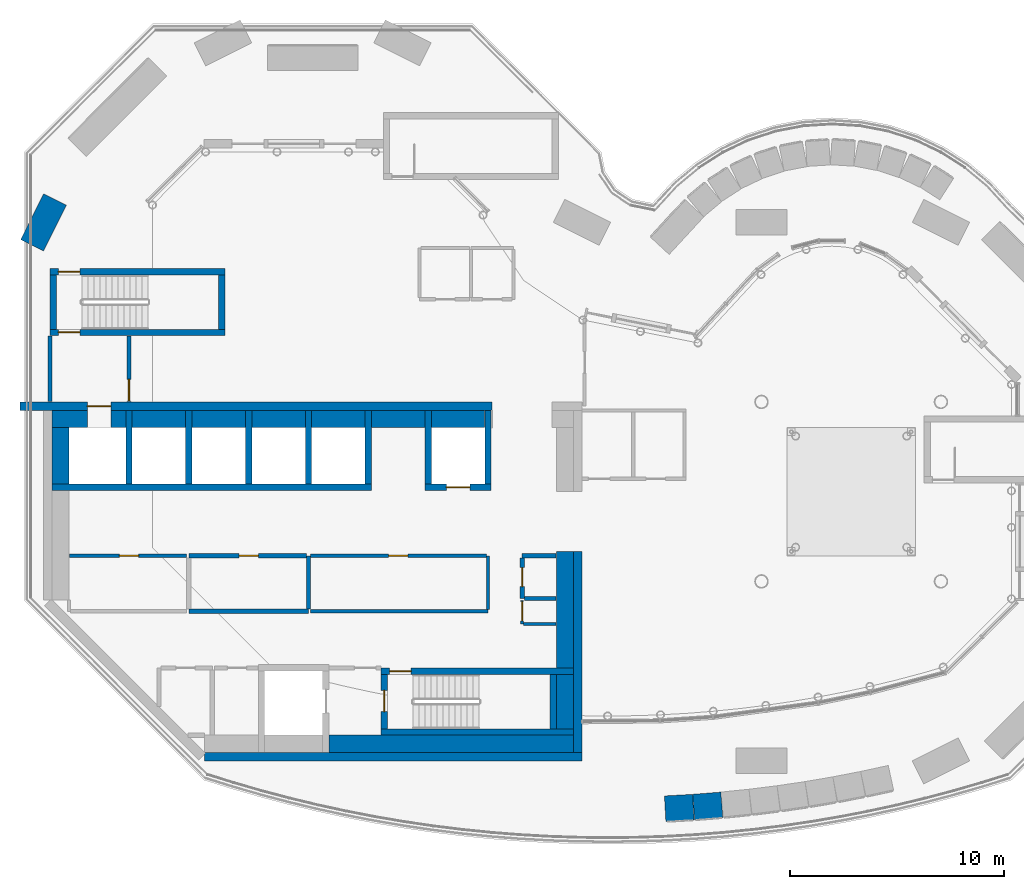
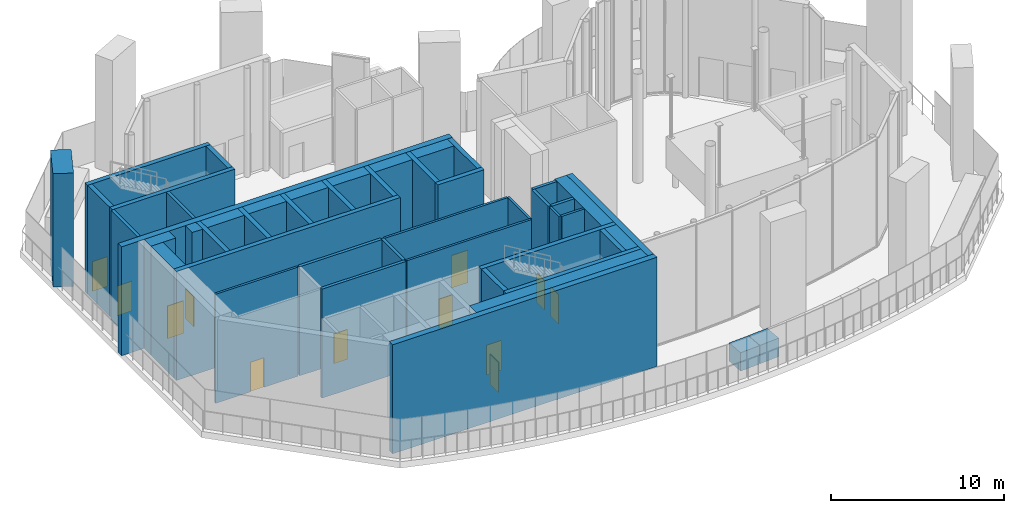
# One storey, part 8 of 14: 49 walls, 12 doors, 12 openings.
"""IFC4 building model written with IfcOpenShell, lengths in metres."""

from ifc_helpers import new_model, si_unit, direction, frame, frame_2d, origin, place, context, subcontext, project, spatial, rectangle, extrude, material, layer, layer_set, type_object, element, fill, save


model = new_model("IFC4")

# Units and contexts
model_context = context("Model", 3, precision=1e-05, world=origin(), true_north=direction((0.0, 1.0)))
body_context = subcontext(model_context, "Body", "Model", "MODEL_VIEW")
ifc_project = project(units=[si_unit("LENGTHUNIT", "METRE"), si_unit("AREAUNIT", "SQUARE_METRE"), si_unit("VOLUMEUNIT", "CUBIC_METRE"), si_unit("PLANEANGLEUNIT", "RADIAN"), si_unit("MASSUNIT", "GRAM", prefix="KILO")], contexts=[model_context])

# Site, building, storey
site_placement = place(None, origin())
site = spatial("IfcSite", under=ifc_project, at=site_placement, CompositionType="ELEMENT")
building_placement = place(site_placement, origin())
building = spatial("IfcBuilding", under=site, at=building_placement, Name="Brevane Broadcast Tower", CompositionType="ELEMENT")
storey_placement = place(building_placement, frame((0.0, 0.0, 256.199951171875)))
storey = spatial("IfcBuildingStorey", under=building, at=storey_placement, Name="L65", CompositionType="ELEMENT", Elevation=256.199951171875)

# Walls
ifc_material_1 = material(Name="Concrete C60/75", Category="concrete")
ifc_layer_1 = layer(ifc_material_1, 1.199951171875)
ifc_layer_set_1 = layer_set([ifc_layer_1], Name="CONCRETE CANOPY PIER WALL 1200 C60/75")
wall_type_1 = type_object("IfcWallType", Name="CONCRETE CANOPY PIER WALL 1200 C60/75", PredefinedType="SOLIDWALL", material=ifc_layer_set_1)
wall_1_placement = place(storey_placement, frame((0.53662109375, 26.273193359375, 0.0), z_axis=(0.0, 0.0, 1.0), x_axis=(-0.4472135955, -0.894427191, 0.0)))
element("IfcWall", 1, at=wall_1_placement, inside=storey, type_object=wall_type_1, Name="CP1 1", PredefinedType="SOLIDWALL", context=body_context, shape_type="SweptSolid", body=[
    extrude(rectangle(XDim=2.39990234375, YDim=1.199951171875, at=frame_2d((1.199951171875, 0.0))), origin(), (0.0, 0.0, 1.0), 8.0),
])
ifc_material_2 = material(Name="Concrete C32/40", Category="concrete")
ifc_layer_2 = layer(ifc_material_2, 0.800048828125)
ifc_layer_set_2 = layer_set([ifc_layer_2], Name="Core chase wall 800 mm")
wall_type_2 = type_object("IfcWallType", Name="Core chase wall 800 mm", PredefinedType="PARTITIONING", material=ifc_layer_set_2)
wall_2_placement = place(storey_placement, frame((0.39990234375, 16.0, 0.0), z_axis=(0.0, 0.0, 1.0), x_axis=(1.0, 0.0, 0.0)))
element("IfcWall", 2, at=wall_2_placement, inside=storey, type_object=wall_type_2, Name="L65 chase wall LN0", PredefinedType="PARTITIONING", context=body_context, shape_type="SweptSolid", body=[
    extrude(rectangle(XDim=1.650146484375, YDim=0.800048828125, at=frame_2d((0.8251953125, 0.0))), origin(), (0.0, 0.0, 1.0), 7.699951171875),
])
wall_3_placement = place(storey_placement, frame((0.800048828125, 12.949951171875, 0.0), z_axis=(0.0, 0.0, 1.0), x_axis=(0.0, 1.0, 0.0)))
element("IfcWall", 3, at=wall_3_placement, inside=storey, type_object=wall_type_2, Name="L65 chase wall LW-2", PredefinedType="PARTITIONING", context=body_context, shape_type="SweptSolid", body=[
    extrude(rectangle(XDim=2.650146484375, YDim=0.800048828125, at=frame_2d((1.3251953125, 0.0))), origin(), (0.0, 0.0, 1.0), 7.699951171875),
])
wall_4_placement = place(storey_placement, frame((3.14990234375, 16.0, 0.0), z_axis=(0.0, 0.0, 1.0), x_axis=(1.0, 0.0, 0.0)))
element("IfcWall", 4, at=wall_4_placement, inside=storey, type_object=wall_type_2, Name="L65 chase wall LN1-1", PredefinedType="PARTITIONING", context=body_context, shape_type="SweptSolid", body=[
    extrude(rectangle(XDim=0.7001953125, YDim=0.800048828125, at=frame_2d((0.35009765625, 0.0))), origin(), (0.0, 0.0, 1.0), 7.699951171875),
])
for number, where, z_axis, x_axis, name in (
    (5, (4.14990234375, 16.0, 0.0), (0.0, 0.0, 1.0), (1.0, 0.0, 0.0), "L65 chase wall LN1-2-1"),
    (6, (6.949951171875, 16.0, 0.0), (0.0, 0.0, 1.0), (1.0, 0.0, 0.0), "L65 chase wall LN1-2-2-1"),
    (7, (9.75, 16.0, 0.0), (0.0, 0.0, 1.0), (1.0, 0.0, 0.0), "L65 chase wall LN1-2-2-2-1"),
    (8, (12.550048828125, 16.0, 0.0), (0.0, 0.0, 1.0), (1.0, 0.0, 0.0), "L65 chase wall LN1-2-2-2-2-1"),
    (9, (15.35009765625, 16.0, 0.0), (0.0, 0.0, 1.0), (1.0, 0.0, 0.0), "L65 chase wall LN1-2-2-2-2-2-1"),
    (10, (18.14990234375, 16.0, 0.0), (0.0, 0.0, 1.0), (1.0, 0.0, 0.0), "L65 chase wall LN1-2-2-2-2-2-2-1"),
):
    element("IfcWall", number, at=place(storey_placement, frame(where, z_axis=z_axis, x_axis=x_axis)), inside=storey, type_object=wall_type_2, Name=name, PredefinedType="PARTITIONING", context=body_context, shape_type="SweptSolid", body=[
        extrude(rectangle(XDim=2.5, YDim=0.800048828125, at=frame_2d((1.25, 0.0))), origin(), (0.0, 0.0, 1.0), 7.699951171875),
    ])
wall_5_placement = place(storey_placement, frame((13.35009765625, 0.800048828125, 0.0), z_axis=(0.0, 0.0, 1.0), x_axis=(1.0, 0.0, 0.0)))
element("IfcWall", 11, at=wall_5_placement, inside=storey, type_object=wall_type_2, Name="L65 chase wall LS-2-2", PredefinedType="PARTITIONING", context=body_context, shape_type="SweptSolid", body=[
    extrude(rectangle(XDim=11.449951171875, YDim=0.800048828125, at=frame_2d((5.72509765625, 0.0))), origin(), (0.0, 0.0, 1.0), 7.699951171875),
])
wall_6_placement = place(storey_placement, frame((24.39990234375, 1.5, 0.0), z_axis=(0.0, 0.0, 1.0), x_axis=(0.0, 1.0, 0.0)))
element("IfcWall", 12, at=wall_6_placement, inside=storey, type_object=wall_type_2, Name="L65 chase wall LE1-2-1", PredefinedType="PARTITIONING", context=body_context, shape_type="SweptSolid", body=[
    extrude(rectangle(XDim=2.550048828125, YDim=0.800048828125, at=frame_2d((1.27490234375, 0.0))), origin(), (0.0, 0.0, 1.0), 7.699951171875),
])
wall_7_placement = place(storey_placement, frame((24.39990234375, 4.35009765625, 0.0), z_axis=(0.0, 0.0, 1.0), x_axis=(0.0, 1.0, 0.0)))
element("IfcWall", 13, at=wall_7_placement, inside=storey, type_object=wall_type_2, Name="L65 chase wall LE1-2-2", PredefinedType="PARTITIONING", context=body_context, shape_type="SweptSolid", body=[
    extrude(rectangle(XDim=5.449951171875, YDim=0.800048828125, at=frame_2d((2.72509765625, 0.0))), origin(), (0.0, 0.0, 1.0), 7.699951171875),
])

# Wall, opening, door
ifc_material_3 = material(Name="Gypsum board on steel studs", Category="steel")
ifc_layer_3 = layer(ifc_material_3, 0.14990234375)
ifc_layer_set_3 = layer_set([ifc_layer_3], Name="Core fire partition 150 mm")
wall_type_3 = type_object("IfcWallType", Name="Core fire partition 150 mm", PredefinedType="PARTITIONING", material=ifc_layer_set_3)
wall_8_placement = place(storey_placement, frame((6.699951171875, 9.60009765625, 0.0), z_axis=(0.0, 0.0, 1.0), x_axis=(-1.0, 0.0, 0.0)))
wall_8 = element("IfcWall", 14, at=wall_8_placement, inside=storey, type_object=wall_type_3, Name="L65 partition wall P16", PredefinedType="PARTITIONING", context=body_context, shape_type="SweptSolid", body=[
    extrude(rectangle(XDim=5.488037109375, YDim=0.14990234375, at=frame_2d((2.744140625, 0.0))), origin(), (0.0, 0.0, 1.0), 7.699951171875),
])
opening_1_placement = place(wall_8_placement, frame((2.25, 0.0, 0.0)))
opening_1 = element("IfcOpeningElement", 15, at=opening_1_placement, cuts=wall_8, Name="Opening L65-K15", PredefinedType="OPENING", context=body_context, shape_type="SweptSolid", body=[
    extrude(rectangle(XDim=0.89990234375, YDim=2.10009765625, at=frame_2d((0.449951171875, 1.050048828125))), frame((0.0, 0.0849609375, 0.0), z_axis=(0.0, -1.0, 0.0), x_axis=(1.0, 0.0, 0.0)), (0.0, 0.0, 1.0), 0.169921875),
])
ifc_material_4 = material(Name="Steel", Category="steel")
door_type_1 = type_object("IfcDoorType", Name="Service room door 900 x 2100", OperationType="SINGLE_SWING_LEFT", PredefinedType="DOOR", material=ifc_material_4)
door_1_placement = place(opening_1_placement, origin())
door_1 = element("IfcDoor", 16, at=door_1_placement, inside=storey, type_object=door_type_1, Name="Door L65-K15", OperationType="SINGLE_SWING_RIGHT", OverallHeight=2.10009765625, OverallWidth=0.89990234375, PredefinedType="DOOR", context=body_context, shape_type="SweptSolid", body=[
    extrude(rectangle(XDim=0.89990234375, YDim=2.10009765625, at=frame_2d((0.449951171875, 1.050048828125))), frame((0.0, 0.02490234375, 0.0), z_axis=(0.0, -1.0, 0.0), x_axis=(1.0, 0.0, 0.0)), (0.0, 0.0, 1.0), 0.050048828125),
])
fill(opening_1, door_1)

# Walls
wall_9_placement = place(storey_placement, frame((12.5, 7.0, 0.0), z_axis=(0.0, 0.0, 1.0), x_axis=(1.0, 0.0, 0.0)))
element("IfcWall", 17, at=wall_9_placement, inside=storey, type_object=wall_type_3, Name="L65 partition wall P19", PredefinedType="PARTITIONING", context=body_context, shape_type="SweptSolid", body=[
    extrude(rectangle(XDim=8.300048828125, YDim=0.14990234375, at=frame_2d((4.14990234375, 0.0))), origin(), (0.0, 0.0, 1.0), 7.699951171875),
])
wall_10_placement = place(storey_placement, frame((20.800048828125, 7.074951171875, 0.0), z_axis=(0.0, 0.0, 1.0), x_axis=(0.0, 1.0, 0.0)))
element("IfcWall", 18, at=wall_10_placement, inside=storey, type_object=wall_type_3, Name="L65 partition wall P20", PredefinedType="PARTITIONING", context=body_context, shape_type="SweptSolid", body=[
    extrude(rectangle(XDim=2.525146484375, YDim=0.14990234375, at=frame_2d((1.2626953125, 0.0))), origin(), (0.0, 0.0, 1.0), 7.699951171875),
])

# Wall, opening, door
wall_11_placement = place(storey_placement, frame((20.72509765625, 9.60009765625, 0.0), z_axis=(0.0, 0.0, 1.0), x_axis=(-1.0, 0.0, 0.0)))
wall_11 = element("IfcWall", 19, at=wall_11_placement, inside=storey, type_object=wall_type_3, Name="L65 partition wall P21", PredefinedType="PARTITIONING", context=body_context, shape_type="SweptSolid", body=[
    extrude(rectangle(XDim=8.22509765625, YDim=0.14990234375, at=frame_2d((4.112548828125, 0.0))), origin(), (0.0, 0.0, 1.0), 7.699951171875),
])
opening_2_placement = place(wall_11_placement, frame((3.675048828125, 0.0, 0.0)))
opening_2 = element("IfcOpeningElement", 20, at=opening_2_placement, cuts=wall_11, Name="Opening L65-K17", PredefinedType="OPENING", context=body_context, shape_type="SweptSolid", body=[
    extrude(rectangle(XDim=0.89990234375, YDim=2.10009765625, at=frame_2d((0.449951171875, 1.050048828125))), frame((0.0, 0.0849609375, 0.0), z_axis=(0.0, -1.0, 0.0), x_axis=(1.0, 0.0, 0.0)), (0.0, 0.0, 1.0), 0.169921875),
])
door_2_placement = place(opening_2_placement, origin())
door_2 = element("IfcDoor", 21, at=door_2_placement, inside=storey, type_object=door_type_1, Name="Door L65-K17", OperationType="SINGLE_SWING_RIGHT", OverallHeight=2.10009765625, OverallWidth=0.89990234375, PredefinedType="DOOR", context=body_context, shape_type="SweptSolid", body=[
    extrude(rectangle(XDim=0.89990234375, YDim=2.10009765625, at=frame_2d((0.449951171875, 1.050048828125))), frame((0.0, 0.02490234375, 0.0), z_axis=(0.0, -1.0, 0.0), x_axis=(1.0, 0.0, 0.0)), (0.0, 0.0, 1.0), 0.050048828125),
])
fill(opening_2, door_2)

wall_12_placement = place(storey_placement, frame((22.39990234375, 7.5, 0.0), z_axis=(0.0, 0.0, 1.0), x_axis=(0.0, -1.0, 0.0)))
wall_12 = element("IfcWall", 22, at=wall_12_placement, inside=storey, type_object=wall_type_3, Name="L65 partition wall P29", PredefinedType="PARTITIONING", context=body_context, shape_type="SweptSolid", body=[
    extrude(rectangle(XDim=1.10009765625, YDim=0.14990234375, at=frame_2d((0.550048828125, 0.0))), origin(), (0.0, 0.0, 1.0), 7.699951171875),
])
opening_3_placement = place(wall_12_placement, frame((0.050048828125, 0.0, 0.0)))
opening_3 = element("IfcOpeningElement", 23, at=opening_3_placement, cuts=wall_12, Name="Opening L65-K13", PredefinedType="OPENING", context=body_context, shape_type="SweptSolid", body=[
    extrude(rectangle(XDim=0.89990234375, YDim=2.10009765625, at=frame_2d((0.449951171875, 1.050048828125))), frame((0.0, 0.0849609375, 0.0), z_axis=(0.0, -1.0, 0.0), x_axis=(1.0, 0.0, 0.0)), (0.0, 0.0, 1.0), 0.169921875),
])
door_3_placement = place(opening_3_placement, origin())
door_3 = element("IfcDoor", 24, at=door_3_placement, inside=storey, type_object=door_type_1, Name="Door L65-K13", OperationType="SINGLE_SWING_RIGHT", OverallHeight=2.10009765625, OverallWidth=0.89990234375, PredefinedType="DOOR", context=body_context, shape_type="SweptSolid", body=[
    extrude(rectangle(XDim=0.89990234375, YDim=2.10009765625, at=frame_2d((0.449951171875, 1.050048828125))), frame((0.0, 0.02490234375, 0.0), z_axis=(0.0, -1.0, 0.0), x_axis=(1.0, 0.0, 0.0)), (0.0, 0.0, 1.0), 0.050048828125),
])
fill(opening_3, door_3)

# Walls
wall_13_placement = place(storey_placement, frame((22.47509765625, 6.39990234375, 0.0), z_axis=(0.0, 0.0, 1.0), x_axis=(1.0, 0.0, 0.0)))
element("IfcWall", 25, at=wall_13_placement, inside=storey, type_object=wall_type_3, Name="L65 partition wall P30", PredefinedType="PARTITIONING", context=body_context, shape_type="SweptSolid", body=[
    extrude(rectangle(XDim=1.512939453125, YDim=0.14990234375, at=frame_2d((0.75634765625, 0.0))), origin(), (0.0, 0.0, 1.0), 7.699951171875),
])
ifc_layer_4 = layer(ifc_material_3, 0.199951171875)
ifc_layer_set_4 = layer_set([ifc_layer_4], Name="Core fire partition 200 mm")
wall_type_4 = type_object("IfcWallType", Name="Core fire partition 200 mm", PredefinedType="PARTITIONING", material=ifc_layer_set_4)
wall_14_placement = place(storey_placement, frame((0.300048828125, 16.81201171875, 0.0), z_axis=(0.0, 0.0, 1.0), x_axis=(0.0, 1.0, 0.0)))
element("IfcWall", 26, at=wall_14_placement, inside=storey, type_object=wall_type_4, Name="L65 partition wall P01", PredefinedType="PARTITIONING", context=body_context, shape_type="SweptSolid", body=[
    extrude(rectangle(XDim=3.075927734375, YDim=0.199951171875, at=frame_2d((1.5380859375, 0.0))), origin(), (0.0, 0.0, 1.0), 7.699951171875),
])

# Wall, opening, door
wall_15_placement = place(storey_placement, frame((4.0, 19.887939453125, 0.0), z_axis=(0.0, 0.0, 1.0), x_axis=(0.0, -1.0, 0.0)))
wall_15 = element("IfcWall", 27, at=wall_15_placement, inside=storey, type_object=wall_type_4, Name="L65 partition wall P02", PredefinedType="PARTITIONING", context=body_context, shape_type="SweptSolid", body=[
    extrude(rectangle(XDim=3.075927734375, YDim=0.199951171875, at=frame_2d((1.5380859375, 0.0))), origin(), (0.0, 0.0, 1.0), 7.699951171875),
])
opening_4_placement = place(wall_15_placement, frame((2.0380859375, 0.0, 0.0)))
opening_4 = element("IfcOpeningElement", 28, at=opening_4_placement, cuts=wall_15, Name="Opening L65-K18", PredefinedType="OPENING", context=body_context, shape_type="SweptSolid", body=[
    extrude(rectangle(XDim=1.0, YDim=2.10009765625, at=frame_2d((0.5, 1.050048828125))), frame((0.0, 0.10986328125, 0.0), z_axis=(0.0, -1.0, 0.0), x_axis=(1.0, 0.0, 0.0)), (0.0, 0.0, 1.0), 0.219970703125),
])
door_type_2 = type_object("IfcDoorType", Name="Stair door 1000 x 2100", OperationType="SINGLE_SWING_LEFT", PredefinedType="DOOR", material=ifc_material_4)
door_4_placement = place(opening_4_placement, origin())
door_4 = element("IfcDoor", 29, at=door_4_placement, inside=storey, type_object=door_type_2, Name="Door L65-K18", OperationType="SINGLE_SWING_LEFT", OverallHeight=2.10009765625, OverallWidth=1.0, PredefinedType="DOOR", context=body_context, shape_type="SweptSolid", body=[
    extrude(rectangle(XDim=1.0, YDim=2.10009765625, at=frame_2d((0.5, 1.050048828125))), frame((0.0, 0.02490234375, 0.0), z_axis=(0.0, -1.0, 0.0), x_axis=(1.0, 0.0, 0.0)), (0.0, 0.0, 1.0), 0.050048828125),
])
fill(opening_4, door_4)

# Wall
wall_16_placement = place(storey_placement, frame((23.988037109375, 9.60009765625, 0.0), z_axis=(0.0, 0.0, 1.0), x_axis=(-1.0, 0.0, 0.0)))
element("IfcWall", 30, at=wall_16_placement, inside=storey, type_object=wall_type_4, Name="L65 partition wall P09", PredefinedType="PARTITIONING", context=body_context, shape_type="SweptSolid", body=[
    extrude(rectangle(XDim=1.588134765625, YDim=0.199951171875, at=frame_2d((0.7939453125, 0.0))), origin(), (0.0, 0.0, 1.0), 7.699951171875),
])

# Wall, opening, door
wall_17_placement = place(storey_placement, frame((22.39990234375, 9.5, 0.0), z_axis=(0.0, 0.0, 1.0), x_axis=(0.0, -1.0, 0.0)))
wall_17 = element("IfcWall", 31, at=wall_17_placement, inside=storey, type_object=wall_type_4, Name="L65 partition wall P10", PredefinedType="PARTITIONING", context=body_context, shape_type="SweptSolid", body=[
    extrude(rectangle(XDim=1.89990234375, YDim=0.199951171875, at=frame_2d((0.949951171875, 0.0))), origin(), (0.0, 0.0, 1.0), 7.699951171875),
])
opening_5_placement = place(wall_17_placement, frame((0.449951171875, 0.0, 0.0)))
opening_5 = element("IfcOpeningElement", 32, at=opening_5_placement, cuts=wall_17, Name="Opening L65-K14", PredefinedType="OPENING", context=body_context, shape_type="SweptSolid", body=[
    extrude(rectangle(XDim=0.89990234375, YDim=2.10009765625, at=frame_2d((0.449951171875, 1.050048828125))), frame((0.0, 0.10986328125, 0.0), z_axis=(0.0, -1.0, 0.0), x_axis=(1.0, 0.0, 0.0)), (0.0, 0.0, 1.0), 0.219970703125),
])
door_5_placement = place(opening_5_placement, origin())
door_5 = element("IfcDoor", 33, at=door_5_placement, inside=storey, type_object=door_type_1, Name="Door L65-K14", OperationType="SINGLE_SWING_LEFT", OverallHeight=2.10009765625, OverallWidth=0.89990234375, PredefinedType="DOOR", context=body_context, shape_type="SweptSolid", body=[
    extrude(rectangle(XDim=0.89990234375, YDim=2.10009765625, at=frame_2d((0.449951171875, 1.050048828125))), frame((0.0, 0.02490234375, 0.0), z_axis=(0.0, -1.0, 0.0), x_axis=(1.0, 0.0, 0.0)), (0.0, 0.0, 1.0), 0.050048828125),
])
fill(opening_5, door_5)

# Walls
wall_18_placement = place(storey_placement, frame((22.5, 7.60009765625, 0.0), z_axis=(0.0, 0.0, 1.0), x_axis=(1.0, 0.0, 0.0)))
element("IfcWall", 34, at=wall_18_placement, inside=storey, type_object=wall_type_4, Name="L65 partition wall P11", PredefinedType="PARTITIONING", context=body_context, shape_type="SweptSolid", body=[
    extrude(rectangle(XDim=1.488037109375, YDim=0.199951171875, at=frame_2d((0.744140625, 0.0))), origin(), (0.0, 0.0, 1.0), 7.699951171875),
])
wall_19_placement = place(storey_placement, frame((6.800048828125, 7.0, 0.0), z_axis=(0.0, 0.0, 1.0), x_axis=(1.0, 0.0, 0.0)))
element("IfcWall", 35, at=wall_19_placement, inside=storey, type_object=wall_type_4, Name="L65 partition wall P12", PredefinedType="PARTITIONING", context=body_context, shape_type="SweptSolid", body=[
    extrude(rectangle(XDim=5.599853515625, YDim=0.199951171875, at=frame_2d((2.7998046875, 0.0))), origin(), (0.0, 0.0, 1.0), 7.699951171875),
])
wall_20_placement = place(storey_placement, frame((12.39990234375, 7.10009765625, 0.0), z_axis=(0.0, 0.0, 1.0), x_axis=(0.0, 1.0, 0.0)))
element("IfcWall", 36, at=wall_20_placement, inside=storey, type_object=wall_type_4, Name="L65 partition wall P13", PredefinedType="PARTITIONING", context=body_context, shape_type="SweptSolid", body=[
    extrude(rectangle(XDim=2.5, YDim=0.199951171875, at=frame_2d((1.25, 0.0))), origin(), (0.0, 0.0, 1.0), 7.699951171875),
])

# Wall, opening, door
wall_21_placement = place(storey_placement, frame((12.300048828125, 9.60009765625, 0.0), z_axis=(0.0, 0.0, 1.0), x_axis=(-1.0, 0.0, 0.0)))
wall_21 = element("IfcWall", 37, at=wall_21_placement, inside=storey, type_object=wall_type_4, Name="L65 partition wall P14", PredefinedType="PARTITIONING", context=body_context, shape_type="SweptSolid", body=[
    extrude(rectangle(XDim=5.5, YDim=0.199951171875, at=frame_2d((2.75, 0.0))), origin(), (0.0, 0.0, 1.0), 7.699951171875),
])
opening_6_placement = place(wall_21_placement, frame((2.25, 0.0, 0.0)))
opening_6 = element("IfcOpeningElement", 38, at=opening_6_placement, cuts=wall_21, Name="Opening L65-K16", PredefinedType="OPENING", context=body_context, shape_type="SweptSolid", body=[
    extrude(rectangle(XDim=0.89990234375, YDim=2.10009765625, at=frame_2d((0.449951171875, 1.050048828125))), frame((0.0, 0.10986328125, 0.0), z_axis=(0.0, -1.0, 0.0), x_axis=(1.0, 0.0, 0.0)), (0.0, 0.0, 1.0), 0.219970703125),
])
door_6_placement = place(opening_6_placement, origin())
door_6 = element("IfcDoor", 39, at=door_6_placement, inside=storey, type_object=door_type_1, Name="Door L65-K16", OperationType="SINGLE_SWING_LEFT", OverallHeight=2.10009765625, OverallWidth=0.89990234375, PredefinedType="DOOR", context=body_context, shape_type="SweptSolid", body=[
    extrude(rectangle(XDim=0.89990234375, YDim=2.10009765625, at=frame_2d((0.449951171875, 1.050048828125))), frame((0.0, 0.02490234375, 0.0), z_axis=(0.0, -1.0, 0.0), x_axis=(1.0, 0.0, 0.0)), (0.0, 0.0, 1.0), 0.050048828125),
])
fill(opening_6, door_6)

# Walls
ifc_material_5 = material(Name="Concrete C50/60", Category="concrete")
ifc_layer_5 = layer(ifc_material_5, 0.300048828125)
ifc_layer_set_5 = layer_set([ifc_layer_5], Name="Core wall 300 mm C50/60")
wall_type_5 = type_object("IfcWallType", Name="Core wall 300 mm C50/60", PredefinedType="SHEAR", material=ifc_layer_set_5)
wall_22_placement = place(storey_placement, frame((0.39990234375, 12.800048828125, 0.0), z_axis=(0.0, 0.0, 1.0), x_axis=(1.0, 0.0, 0.0)))
element("IfcWall", 40, at=wall_22_placement, inside=storey, type_object=wall_type_5, Name="L65 shaft wall SH-N012-front", PredefinedType="SHEAR", context=body_context, shape_type="SweptSolid", body=[
    extrude(rectangle(XDim=14.9501953125, YDim=0.300048828125, at=frame_2d((7.47509765625, 0.0))), origin(), (0.0, 0.0, 1.0), 7.699951171875),
])
for number, where, z_axis, x_axis, name in (
    (41, (4.0, 12.949951171875, 0.0), (0.0, 0.0, 1.0), (0.0, 1.0, 0.0), "L65 shaft wall SH-N-P040"),
    (42, (6.800048828125, 12.949951171875, 0.0), (0.0, 0.0, 1.0), (0.0, 1.0, 0.0), "L65 shaft wall SH-N-P068"),
    (43, (9.60009765625, 12.949951171875, 0.0), (0.0, 0.0, 1.0), (0.0, 1.0, 0.0), "L65 shaft wall SH-N-P096"),
    (44, (12.39990234375, 12.949951171875, 0.0), (0.0, 0.0, 1.0), (0.0, 1.0, 0.0), "L65 shaft wall SH-N-P124"),
    (45, (15.199951171875, 12.949951171875, 0.0), (0.0, 0.0, 1.0), (0.0, 1.0, 0.0), "L65 shaft wall SH-N-P152"),
):
    element("IfcWall", number, at=place(storey_placement, frame(where, z_axis=z_axis, x_axis=x_axis)), inside=storey, type_object=wall_type_5, Name=name, PredefinedType="SHEAR", context=body_context, shape_type="SweptSolid", body=[
        extrude(rectangle(XDim=3.449951171875, YDim=0.300048828125, at=frame_2d((1.72509765625, 0.0))), origin(), (0.0, 0.0, 1.0), 7.699951171875),
    ])

# Wall, opening, door
wall_23_placement = place(storey_placement, frame((17.85009765625, 12.800048828125, 0.0), z_axis=(0.0, 0.0, 1.0), x_axis=(1.0, 0.0, 0.0)))
wall_23 = element("IfcWall", 46, at=wall_23_placement, inside=storey, type_object=wall_type_5, Name="L65 shaft wall SH-N180-front", PredefinedType="SHEAR", context=body_context, shape_type="SweptSolid", body=[
    extrude(rectangle(XDim=3.099853515625, YDim=0.300048828125, at=frame_2d((1.5498046875, 0.0))), origin(), (0.0, 0.0, 1.0), 7.699951171875),
])
opening_7_placement = place(wall_23_placement, frame((1.0, 0.0, 0.0)))
opening_7 = element("IfcOpeningElement", 47, at=opening_7_placement, cuts=wall_23, Name="Opening LD", PredefinedType="OPENING", context=body_context, shape_type="SweptSolid", body=[
    extrude(rectangle(XDim=1.10009765625, YDim=2.300048828125, at=frame_2d((0.550048828125, 1.14990234375))), frame((0.0, 0.159912109375, 0.0), z_axis=(0.0, -1.0, 0.0), x_axis=(1.0, 0.0, 0.0)), (0.0, 0.0, 1.0), 0.320068359375),
])
ifc_material_6 = material(Name="Stainless steel", Category="steel")
door_type_3 = type_object("IfcDoorType", Name="Lift landing door", OperationType="SLIDING_TO_LEFT", PredefinedType="DOOR", material=ifc_material_6)
door_7_placement = place(opening_7_placement, origin())
door_7 = element("IfcDoor", 48, at=door_7_placement, inside=storey, type_object=door_type_3, Name="Landing door SL1 L65", OperationType="SLIDING_TO_LEFT", OverallHeight=2.300048828125, OverallWidth=1.10009765625, PredefinedType="DOOR", context=body_context, shape_type="SweptSolid", body=[
    extrude(rectangle(XDim=1.10009765625, YDim=2.300048828125, at=frame_2d((0.550048828125, 1.14990234375))), frame((0.0, 0.02490234375, 0.0), z_axis=(0.0, -1.0, 0.0), x_axis=(1.0, 0.0, 0.0)), (0.0, 0.0, 1.0), 0.050048828125),
])
fill(opening_7, door_7)

# Walls
for number, where, z_axis, x_axis, name in (
    (49, (18.0, 12.949951171875, 0.0), (0.0, 0.0, 1.0), (0.0, 1.0, 0.0), "L65 shaft wall SH-N-P180"),
    (50, (20.800048828125, 12.949951171875, 0.0), (0.0, 0.0, 1.0), (0.0, 1.0, 0.0), "L65 shaft wall SH-N-P208"),
):
    element("IfcWall", number, at=place(storey_placement, frame(where, z_axis=z_axis, x_axis=x_axis)), inside=storey, type_object=wall_type_5, Name=name, PredefinedType="SHEAR", context=body_context, shape_type="SweptSolid", body=[
        extrude(rectangle(XDim=3.449951171875, YDim=0.300048828125, at=frame_2d((1.72509765625, 0.0))), origin(), (0.0, 0.0, 1.0), 7.699951171875),
    ])

# Wall, opening, door
wall_24_placement = place(storey_placement, frame((8.5, 20.050048828125, 0.0), z_axis=(0.0, 0.0, 1.0), x_axis=(-1.0, 0.0, 0.0)))
wall_24 = element("IfcWall", 51, at=wall_24_placement, inside=storey, type_object=wall_type_5, Name="L65 stair wall ST-1-S", PredefinedType="SHEAR", context=body_context, shape_type="SweptSolid", body=[
    extrude(rectangle(XDim=8.199951171875, YDim=0.300048828125, at=frame_2d((4.10009765625, 0.0))), origin(), (0.0, 0.0, 1.0), 7.699951171875),
])
opening_8_placement = place(wall_24_placement, frame((6.800048828125, 0.0, 0.0)))
opening_8 = element("IfcOpeningElement", 52, at=opening_8_placement, cuts=wall_24, Name="Opening L65-K04", PredefinedType="OPENING", context=body_context, shape_type="SweptSolid", body=[
    extrude(rectangle(XDim=1.0, YDim=2.10009765625, at=frame_2d((0.5, 1.050048828125))), frame((0.0, 0.159912109375, 0.0), z_axis=(0.0, -1.0, 0.0), x_axis=(1.0, 0.0, 0.0)), (0.0, 0.0, 1.0), 0.320068359375),
])
door_8_placement = place(opening_8_placement, origin())
door_8 = element("IfcDoor", 53, at=door_8_placement, inside=storey, type_object=door_type_2, Name="Door L65-K04", OperationType="SINGLE_SWING_LEFT", OverallHeight=2.10009765625, OverallWidth=1.0, PredefinedType="DOOR", context=body_context, shape_type="SweptSolid", body=[
    extrude(rectangle(XDim=1.0, YDim=2.10009765625, at=frame_2d((0.5, 1.050048828125))), frame((0.0, 0.02490234375, 0.0), z_axis=(0.0, -1.0, 0.0), x_axis=(1.0, 0.0, 0.0)), (0.0, 0.0, 1.0), 0.050048828125),
])
fill(opening_8, door_8)

wall_25_placement = place(storey_placement, frame((0.300048828125, 22.89990234375, 0.0), z_axis=(0.0, 0.0, 1.0), x_axis=(1.0, 0.0, 0.0)))
wall_25 = element("IfcWall", 54, at=wall_25_placement, inside=storey, type_object=wall_type_5, Name="L65 stair wall ST-1-N", PredefinedType="SHEAR", context=body_context, shape_type="SweptSolid", body=[
    extrude(rectangle(XDim=8.199951171875, YDim=0.300048828125, at=frame_2d((4.10009765625, 0.0))), origin(), (0.0, 0.0, 1.0), 7.699951171875),
])
opening_9_placement = place(wall_25_placement, frame((0.39990234375, 0.0, 0.0)))
opening_9 = element("IfcOpeningElement", 55, at=opening_9_placement, cuts=wall_25, Name="Opening L65-K05", PredefinedType="OPENING", context=body_context, shape_type="SweptSolid", body=[
    extrude(rectangle(XDim=1.0, YDim=2.10009765625, at=frame_2d((0.5, 1.050048828125))), frame((0.0, 0.159912109375, 0.0), z_axis=(0.0, -1.0, 0.0), x_axis=(1.0, 0.0, 0.0)), (0.0, 0.0, 1.0), 0.320068359375),
])
door_9_placement = place(opening_9_placement, origin())
door_9 = element("IfcDoor", 56, at=door_9_placement, inside=storey, type_object=door_type_2, Name="Door L65-K05", OperationType="SINGLE_SWING_RIGHT", OverallHeight=2.10009765625, OverallWidth=1.0, PredefinedType="DOOR", context=body_context, shape_type="SweptSolid", body=[
    extrude(rectangle(XDim=1.0, YDim=2.10009765625, at=frame_2d((0.5, 1.050048828125))), frame((0.0, 0.02490234375, 0.0), z_axis=(0.0, -1.0, 0.0), x_axis=(1.0, 0.0, 0.0)), (0.0, 0.0, 1.0), 0.050048828125),
])
fill(opening_9, door_9)

# Walls
for number, where, z_axis, x_axis, name in (
    (57, (0.449951171875, 20.199951171875, 0.0), (0.0, 0.0, 1.0), (0.0, 1.0, 0.0), "L65 stair wall ST-1-W"),
    (58, (8.35009765625, 20.199951171875, 0.0), (0.0, 0.0, 1.0), (0.0, 1.0, 0.0), "L65 stair wall ST-1-E"),
):
    element("IfcWall", number, at=place(storey_placement, frame(where, z_axis=z_axis, x_axis=x_axis)), inside=storey, type_object=wall_type_5, Name=name, PredefinedType="SHEAR", context=body_context, shape_type="SweptSolid", body=[
        extrude(rectangle(XDim=2.550048828125, YDim=0.300048828125, at=frame_2d((1.27490234375, 0.0))), origin(), (0.0, 0.0, 1.0), 7.699951171875),
    ])
wall_26_placement = place(storey_placement, frame((15.800048828125, 1.35009765625, 0.0), z_axis=(0.0, 0.0, 1.0), x_axis=(1.0, 0.0, 0.0)))
element("IfcWall", 59, at=wall_26_placement, inside=storey, type_object=wall_type_5, Name="L65 stair wall ST-2-S", PredefinedType="SHEAR", context=body_context, shape_type="SweptSolid", body=[
    extrude(rectangle(XDim=9.0, YDim=0.300048828125, at=frame_2d((4.5, 0.0))), origin(), (0.0, 0.0, 1.0), 7.699951171875),
])

# Wall, opening, door
wall_27_placement = place(storey_placement, frame((15.800048828125, 4.199951171875, 0.0), z_axis=(0.0, 0.0, 1.0), x_axis=(1.0, 0.0, 0.0)))
wall_27 = element("IfcWall", 60, at=wall_27_placement, inside=storey, type_object=wall_type_5, Name="L65 stair wall ST-2-N", PredefinedType="SHEAR", context=body_context, shape_type="SweptSolid", body=[
    extrude(rectangle(XDim=9.0, YDim=0.300048828125, at=frame_2d((4.5, 0.0))), origin(), (0.0, 0.0, 1.0), 7.699951171875),
])
opening_10_placement = place(wall_27_placement, frame((0.39990234375, 0.0, 0.0)))
opening_10 = element("IfcOpeningElement", 61, at=opening_10_placement, cuts=wall_27, Name="Opening L65-K07", PredefinedType="OPENING", context=body_context, shape_type="SweptSolid", body=[
    extrude(rectangle(XDim=1.0, YDim=2.10009765625, at=frame_2d((0.5, 1.050048828125))), frame((0.0, 0.159912109375, 0.0), z_axis=(0.0, -1.0, 0.0), x_axis=(1.0, 0.0, 0.0)), (0.0, 0.0, 1.0), 0.320068359375),
])
door_10_placement = place(opening_10_placement, origin())
door_10 = element("IfcDoor", 62, at=door_10_placement, inside=storey, type_object=door_type_2, Name="Door L65-K07", OperationType="SINGLE_SWING_RIGHT", OverallHeight=2.10009765625, OverallWidth=1.0, PredefinedType="DOOR", context=body_context, shape_type="SweptSolid", body=[
    extrude(rectangle(XDim=1.0, YDim=2.10009765625, at=frame_2d((0.5, 1.050048828125))), frame((0.0, 0.02490234375, 0.0), z_axis=(0.0, -1.0, 0.0), x_axis=(1.0, 0.0, 0.0)), (0.0, 0.0, 1.0), 0.050048828125),
])
fill(opening_10, door_10)

wall_28_placement = place(storey_placement, frame((15.949951171875, 1.5, 0.0), z_axis=(0.0, 0.0, 1.0), x_axis=(0.0, 1.0, 0.0)))
wall_28 = element("IfcWall", 63, at=wall_28_placement, inside=storey, type_object=wall_type_5, Name="L65 stair wall ST-2-W", PredefinedType="SHEAR", context=body_context, shape_type="SweptSolid", body=[
    extrude(rectangle(XDim=2.550048828125, YDim=0.300048828125, at=frame_2d((1.27490234375, 0.0))), origin(), (0.0, 0.0, 1.0), 7.699951171875),
])
opening_11_placement = place(wall_28_placement, frame((0.800048828125, 0.0, 0.0)))
opening_11 = element("IfcOpeningElement", 64, at=opening_11_placement, cuts=wall_28, Name="Opening L65-K06", PredefinedType="OPENING", context=body_context, shape_type="SweptSolid", body=[
    extrude(rectangle(XDim=1.0, YDim=2.10009765625, at=frame_2d((0.5, 1.050048828125))), frame((0.0, 0.159912109375, 0.0), z_axis=(0.0, -1.0, 0.0), x_axis=(1.0, 0.0, 0.0)), (0.0, 0.0, 1.0), 0.320068359375),
])
door_11_placement = place(opening_11_placement, origin())
door_11 = element("IfcDoor", 65, at=door_11_placement, inside=storey, type_object=door_type_2, Name="Door L65-K06", OperationType="SINGLE_SWING_LEFT", OverallHeight=2.10009765625, OverallWidth=1.0, PredefinedType="DOOR", context=body_context, shape_type="SweptSolid", body=[
    extrude(rectangle(XDim=1.0, YDim=2.10009765625, at=frame_2d((0.5, 1.050048828125))), frame((0.0, 0.02490234375, 0.0), z_axis=(0.0, -1.0, 0.0), x_axis=(1.0, 0.0, 0.0)), (0.0, 0.0, 1.0), 0.050048828125),
])
fill(opening_11, door_11)

# Walls
wall_29_placement = place(storey_placement, frame((23.85009765625, 1.5, 0.0), z_axis=(0.0, 0.0, 1.0), x_axis=(0.0, 1.0, 0.0)))
element("IfcWall", 66, at=wall_29_placement, inside=storey, type_object=wall_type_5, Name="L65 stair wall ST-2-E", PredefinedType="SHEAR", context=body_context, shape_type="SweptSolid", body=[
    extrude(rectangle(XDim=2.550048828125, YDim=0.300048828125, at=frame_2d((1.27490234375, 0.0))), origin(), (0.0, 0.0, 1.0), 7.699951171875),
])
ifc_layer_6 = layer(ifc_material_5, 0.39990234375)
ifc_layer_set_6 = layer_set([ifc_layer_6], Name="Core wall 400 mm C50/60")
wall_type_6 = type_object("IfcWallType", Name="Core wall 400 mm C50/60", PredefinedType="SHEAR", material=ifc_layer_set_6)
wall_30_placement = place(storey_placement, frame((7.536376953125, 0.199951171875, 0.0), z_axis=(0.0, 0.0, 1.0), x_axis=(1.0, 0.0, 0.0)))
element("IfcWall", 67, at=wall_30_placement, inside=storey, type_object=wall_type_6, Name="L65 outer wall WS", PredefinedType="SHEAR", context=body_context, shape_type="SweptSolid", body=[
    extrude(rectangle(XDim=17.66357421875, YDim=0.39990234375, at=frame_2d((8.831787109375, 0.0))), origin(), (0.0, 0.0, 1.0), 7.699951171875),
])

# Wall, opening, door
wall_31_placement = place(storey_placement, frame((-1.10009765625, 16.60009765625, 0.0), z_axis=(0.0, 0.0, 1.0), x_axis=(1.0, 0.0, 0.0)))
wall_31 = element("IfcWall", 68, at=wall_31_placement, inside=storey, type_object=wall_type_6, Name="L65 outer wall WN1", PredefinedType="SHEAR", context=body_context, shape_type="SweptSolid", body=[
    extrude(rectangle(XDim=22.10009765625, YDim=0.39990234375, at=frame_2d((11.050048828125, 0.0))), origin(), (0.0, 0.0, 1.0), 7.699951171875),
])
opening_12_placement = place(wall_31_placement, frame((3.14990234375, 0.0, 0.0)))
opening_12 = element("IfcOpeningElement", 69, at=opening_12_placement, cuts=wall_31, Name="Opening LD", PredefinedType="OPENING", context=body_context, shape_type="SweptSolid", body=[
    extrude(rectangle(XDim=1.10009765625, YDim=2.300048828125, at=frame_2d((0.550048828125, 1.14990234375))), frame((0.0, 0.2099609375, 0.0), z_axis=(0.0, -1.0, 0.0), x_axis=(1.0, 0.0, 0.0)), (0.0, 0.0, 1.0), 0.419921875),
])
door_12_placement = place(opening_12_placement, origin())
door_12 = element("IfcDoor", 70, at=door_12_placement, inside=storey, type_object=door_type_3, Name="Landing door FF1 L65", OperationType="SLIDING_TO_LEFT", OverallHeight=2.300048828125, OverallWidth=1.10009765625, PredefinedType="DOOR", context=body_context, shape_type="SweptSolid", body=[
    extrude(rectangle(XDim=1.10009765625, YDim=2.300048828125, at=frame_2d((0.550048828125, 1.14990234375))), frame((0.0, 0.02490234375, 0.0), z_axis=(0.0, -1.0, 0.0), x_axis=(1.0, 0.0, 0.0)), (0.0, 0.0, 1.0), 0.050048828125),
])
fill(opening_12, door_12)

# Walls
wall_32_placement = place(storey_placement, frame((25.0, 0.39990234375, 0.0), z_axis=(0.0, 0.0, 1.0), x_axis=(0.0, 1.0, 0.0)))
element("IfcWall", 71, at=wall_32_placement, inside=storey, type_object=wall_type_6, Name="L65 outer wall WE1", PredefinedType="SHEAR", context=body_context, shape_type="SweptSolid", body=[
    extrude(rectangle(XDim=9.400146484375, YDim=0.39990234375, at=frame_2d((4.7001953125, 0.0))), origin(), (0.0, 0.0, 1.0), 7.699951171875),
])
ifc_material_7 = material(Name="Concrete C30/37", Category="concrete")
ifc_layer_7 = layer(ifc_material_7, 1.199951171875)
ifc_layer_set_7 = layer_set([ifc_layer_7], Name="Planter wall 1200")
wall_type_7 = type_object("IfcWallType", Name="Planter wall 1200", PredefinedType="PARAPET", material=ifc_layer_set_7)
for number, where, z_axis, x_axis, name in (
    (72, (29.092529296875, -2.23876953125, 0.0), (0.0, 0.0, 1.0), (0.998414590724, 0.056287698738, 0.0), "Planting bed L65-1"),
    (73, (30.427001953125, -2.1630859375, 0.0), (0.0, 0.0, 1.0), (0.99690500334, 0.078615611148, 0.0), "Planting bed L65-2"),
):
    element("IfcWall", number, at=place(storey_placement, frame(where, z_axis=z_axis, x_axis=x_axis)), inside=storey, type_object=wall_type_7, Name=name, PredefinedType="PARAPET", context=body_context, shape_type="SweptSolid", body=[
        extrude(rectangle(XDim=1.322998046875, YDim=1.199951171875, at=frame_2d((0.66162109375, 0.0))), origin(), (0.0, 0.0, 1.0), 1.300048828125),
    ])

save(model, "model.ifc")
